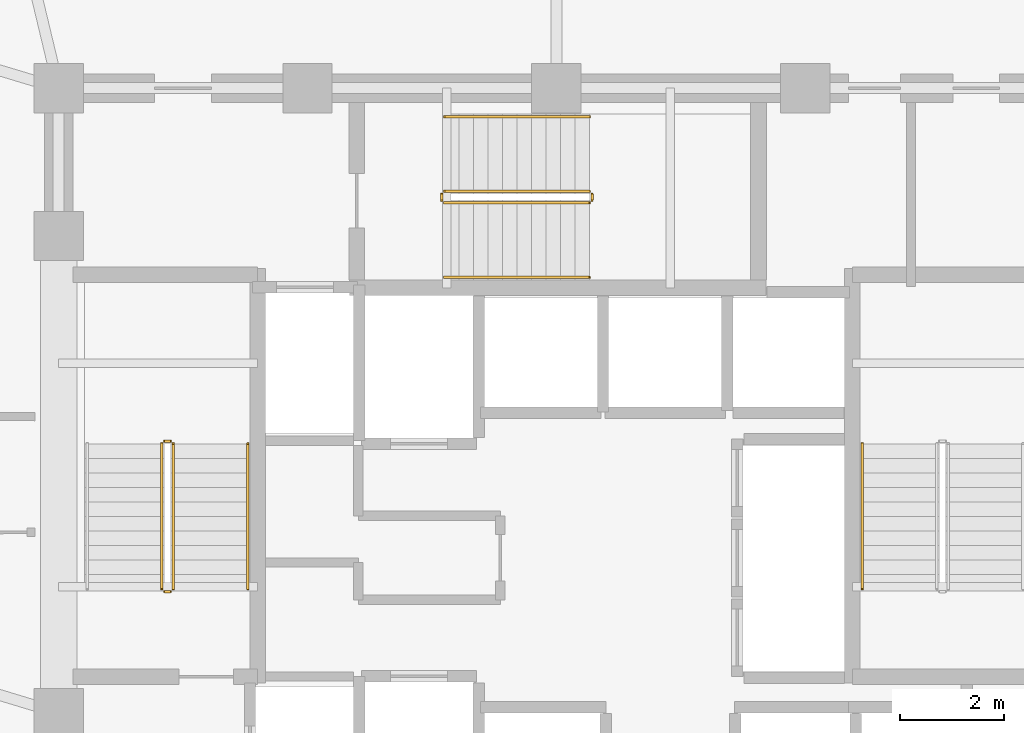
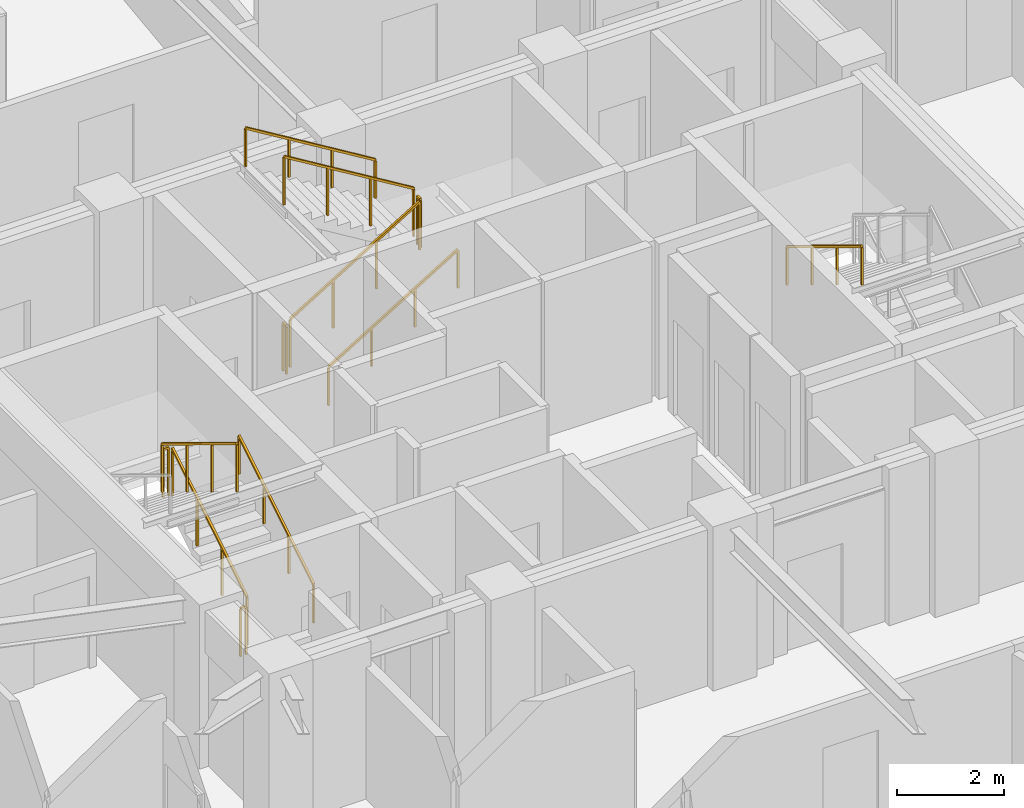
# One storey, part 27 of 29: 12 railings.
"""IFC4 building model written with IfcOpenShell, lengths in metres."""

from ifc_helpers import new_model, si_unit, direction, frame, origin, origin_2d, place, context, subcontext, project, spatial, rectangle, extrude, material, type_object, element, save


model = new_model("IFC4")

# Units and contexts
model_context = context("Model", 3, precision=1e-05, world=origin(), true_north=direction((0.0, 1.0)))
body_context = subcontext(model_context, "Body", "Model", "MODEL_VIEW")
ifc_project = project(units=[si_unit("LENGTHUNIT", "METRE"), si_unit("AREAUNIT", "SQUARE_METRE"), si_unit("VOLUMEUNIT", "CUBIC_METRE"), si_unit("PLANEANGLEUNIT", "RADIAN"), si_unit("MASSUNIT", "GRAM", prefix="KILO")], contexts=[model_context])

# Site, building, storey
site_placement = place(None, origin())
site = spatial("IfcSite", under=ifc_project, at=site_placement, CompositionType="ELEMENT")
building_placement = place(site_placement, origin())
building = spatial("IfcBuilding", under=site, at=building_placement, Name="Vantalir Tower", CompositionType="ELEMENT")
storey_placement = place(building_placement, frame((0.0, 0.0, 149.699951171875)))
storey = spatial("IfcBuildingStorey", under=building, at=storey_placement, Name="L37", CompositionType="ELEMENT", Elevation=149.699951171875)

# Railings
ifc_material_1 = material(Name="Anodised aluminium and stainless steel guard", Category="steel")
railing_type_1 = type_object("IfcRailingType", Name="RAL-GUARD-1120", PredefinedType="GUARDRAIL", material=ifc_material_1)
railing_1_placement = place(storey_placement, frame((24.110107421875, 22.7900390625, 0.17041015625)))
element("IfcRailing", 1, at=railing_1_placement, inside=storey, type_object=railing_type_1, Name="L37 ST1 stair guard 1", PredefinedType="GUARDRAIL", context=body_context, shape_type="SweptSolid", body=[
    extrude(rectangle(XDim=0.048095703125, YDim=0.048095703125, at=origin_2d()), frame((0.0, 0.0, 1.09619140625), z_axis=(0.0, 0.854169791009, 0.51999420009), x_axis=(-1.0, 0.0, 0.0)), (0.0, 0.0, 1.0), 3.278076171875),
    extrude(rectangle(XDim=0.0419921875, YDim=0.0419921875, at=origin_2d()), origin(), (0.0, 0.0, 1.0), 1.072021484375),
    extrude(rectangle(XDim=0.0419921875, YDim=0.0419921875, at=origin_2d()), frame((0.0, 0.933349609375, 0.568115234375)), (0.0, 0.0, 1.0), 1.072021484375),
    extrude(rectangle(XDim=0.0419921875, YDim=0.0419921875, at=origin_2d()), frame((0.0, 1.86669921875, 1.136474609375)), (0.0, 0.0, 1.0), 1.072021484375),
    extrude(rectangle(XDim=0.0419921875, YDim=0.0419921875, at=origin_2d()), frame((0.0, 2.800048828125, 1.70458984375)), (0.0, 0.0, 1.0), 1.072021484375),
])
railing_2_placement = place(storey_placement, frame((24.06005859375, 25.639892578125, 1.875)))
element("IfcRailing", 2, at=railing_2_placement, inside=storey, type_object=railing_type_1, Name="L37 ST1 stair guard 2", PredefinedType="GUARDRAIL", context=body_context, shape_type="SweptSolid", body=[
    extrude(rectangle(XDim=0.048095703125, YDim=0.048095703125, at=origin_2d()), frame((0.0, 0.0, 1.09619140625), z_axis=(-1.0, 0.0, 0.0), x_axis=(0.0, -1.0, 0.0)), (0.0, 0.0, 1.0), 0.1201171875),
    extrude(rectangle(XDim=0.0419921875, YDim=0.0419921875, at=origin_2d()), origin(), (0.0, 0.0, 1.0), 1.072021484375),
    extrude(rectangle(XDim=0.0419921875, YDim=0.0419921875, at=origin_2d()), frame((-0.1201171875, 0.0, 0.0)), (0.0, 0.0, 1.0), 1.072021484375),
])
railing_3_placement = place(storey_placement, frame((23.889892578125, 25.590087890625, 2.04541015625)))
element("IfcRailing", 3, at=railing_3_placement, inside=storey, type_object=railing_type_1, Name="L37 ST1 stair guard 3", PredefinedType="GUARDRAIL", context=body_context, shape_type="SweptSolid", body=[
    extrude(rectangle(XDim=0.048095703125, YDim=0.048095703125, at=origin_2d()), frame((0.0, 0.0, 1.09619140625), z_axis=(0.0, -0.854169791009, 0.51999420009), x_axis=(1.0, 0.0, 0.0)), (0.0, 0.0, 1.0), 3.278076171875),
    extrude(rectangle(XDim=0.0419921875, YDim=0.0419921875, at=origin_2d()), origin(), (0.0, 0.0, 1.0), 1.072021484375),
    extrude(rectangle(XDim=0.0419921875, YDim=0.0419921875, at=origin_2d()), frame((0.0, -0.933349609375, 0.568115234375)), (0.0, 0.0, 1.0), 1.072021484375),
    extrude(rectangle(XDim=0.0419921875, YDim=0.0419921875, at=origin_2d()), frame((0.0, -1.86669921875, 1.136474609375)), (0.0, 0.0, 1.0), 1.072021484375),
    extrude(rectangle(XDim=0.0419921875, YDim=0.0419921875, at=origin_2d()), frame((0.0, -2.800048828125, 1.70458984375)), (0.0, 0.0, 1.0), 1.072021484375),
])
railing_4_placement = place(storey_placement, frame((24.06005859375, 22.739990234375, 0.0)))
element("IfcRailing", 4, at=railing_4_placement, inside=storey, type_object=railing_type_1, Name="L37 ST1 stair guard 4", PredefinedType="GUARDRAIL", context=body_context, shape_type="SweptSolid", body=[
    extrude(rectangle(XDim=0.048095703125, YDim=0.048095703125, at=origin_2d()), frame((0.0, 0.0, 1.09619140625), z_axis=(-1.0, 0.0, 0.0), x_axis=(0.0, -1.0, 0.0)), (0.0, 0.0, 1.0), 0.1201171875),
    extrude(rectangle(XDim=0.0419921875, YDim=0.0419921875, at=origin_2d()), origin(), (0.0, 0.0, 1.0), 1.072021484375),
    extrude(rectangle(XDim=0.0419921875, YDim=0.0419921875, at=origin_2d()), frame((-0.1201171875, 0.0, 0.0)), (0.0, 0.0, 1.0), 1.072021484375),
])
railing_5_placement = place(storey_placement, frame((29.340087890625, 30.239990234375, 0.17041015625)))
element("IfcRailing", 5, at=railing_5_placement, inside=storey, type_object=railing_type_1, Name="L37 ST3 stair guard 1", PredefinedType="GUARDRAIL", context=body_context, shape_type="SweptSolid", body=[
    extrude(rectangle(XDim=0.048095703125, YDim=0.048095703125, at=origin_2d()), frame((0.0, 0.0, 1.09619140625), z_axis=(0.854149651119, 0.0, 0.520027281489), x_axis=(0.0, 1.0, 0.0)), (0.0, 0.0, 1.0), 3.27783203125),
    extrude(rectangle(XDim=0.0419921875, YDim=0.0419921875, at=origin_2d()), origin(), (0.0, 0.0, 1.0), 1.072021484375),
    extrude(rectangle(XDim=0.0419921875, YDim=0.0419921875, at=origin_2d()), frame((0.933349609375, 0.0, 0.568115234375)), (0.0, 0.0, 1.0), 1.072021484375),
    extrude(rectangle(XDim=0.0419921875, YDim=0.0419921875, at=origin_2d()), frame((1.866455078125, 0.0, 1.136474609375)), (0.0, 0.0, 1.0), 1.072021484375),
    extrude(rectangle(XDim=0.0419921875, YDim=0.0419921875, at=origin_2d()), frame((2.7998046875, 0.0, 1.70458984375)), (0.0, 0.0, 1.0), 1.072021484375),
])
railing_6_placement = place(storey_placement, frame((32.18994140625, 30.2900390625, 1.875)))
element("IfcRailing", 6, at=railing_6_placement, inside=storey, type_object=railing_type_1, Name="L37 ST3 stair guard 2", PredefinedType="GUARDRAIL", context=body_context, shape_type="SweptSolid", body=[
    extrude(rectangle(XDim=0.048095703125, YDim=0.048095703125, at=origin_2d()), frame((0.0, 0.0, 1.09619140625), z_axis=(0.0, 1.0, 0.0), x_axis=(-1.0, 0.0, 0.0)), (0.0, 0.0, 1.0), 0.119873046875),
    extrude(rectangle(XDim=0.0419921875, YDim=0.0419921875, at=origin_2d()), origin(), (0.0, 0.0, 1.0), 1.072021484375),
    extrude(rectangle(XDim=0.0419921875, YDim=0.0419921875, at=origin_2d()), frame((0.0, 0.119873046875, 0.0)), (0.0, 0.0, 1.0), 1.072021484375),
])
railing_7_placement = place(storey_placement, frame((32.139892578125, 30.4599609375, 2.04541015625)))
element("IfcRailing", 7, at=railing_7_placement, inside=storey, type_object=railing_type_1, Name="L37 ST3 stair guard 3", PredefinedType="GUARDRAIL", context=body_context, shape_type="SweptSolid", body=[
    extrude(rectangle(XDim=0.048095703125, YDim=0.048095703125, at=origin_2d()), frame((0.0, 0.0, 1.09619140625), z_axis=(-0.854149651119, 0.0, 0.520027281489), x_axis=(0.0, -1.0, 0.0)), (0.0, 0.0, 1.0), 3.27783203125),
    extrude(rectangle(XDim=0.0419921875, YDim=0.0419921875, at=origin_2d()), origin(), (0.0, 0.0, 1.0), 1.072021484375),
    extrude(rectangle(XDim=0.0419921875, YDim=0.0419921875, at=origin_2d()), frame((-0.933349609375, 0.0, 0.568115234375)), (0.0, 0.0, 1.0), 1.072021484375),
    extrude(rectangle(XDim=0.0419921875, YDim=0.0419921875, at=origin_2d()), frame((-1.866455078125, 0.0, 1.136474609375)), (0.0, 0.0, 1.0), 1.072021484375),
    extrude(rectangle(XDim=0.0419921875, YDim=0.0419921875, at=origin_2d()), frame((-2.7998046875, 0.0, 1.70458984375)), (0.0, 0.0, 1.0), 1.072021484375),
])
railing_8_placement = place(storey_placement, frame((29.2900390625, 30.2900390625, 0.0)))
element("IfcRailing", 8, at=railing_8_placement, inside=storey, type_object=railing_type_1, Name="L37 ST3 stair guard 4", PredefinedType="GUARDRAIL", context=body_context, shape_type="SweptSolid", body=[
    extrude(rectangle(XDim=0.048095703125, YDim=0.048095703125, at=origin_2d()), frame((0.0, 0.0, 1.09619140625), z_axis=(0.0, 1.0, 0.0), x_axis=(-1.0, 0.0, 0.0)), (0.0, 0.0, 1.0), 0.119873046875),
    extrude(rectangle(XDim=0.0419921875, YDim=0.0419921875, at=origin_2d()), origin(), (0.0, 0.0, 1.0), 1.072021484375),
    extrude(rectangle(XDim=0.0419921875, YDim=0.0419921875, at=origin_2d()), frame((0.0, 0.119873046875, 0.0)), (0.0, 0.0, 1.0), 1.072021484375),
])
ifc_material_2 = material(Name="Brushed stainless steel tubular handrail", Category="steel")
railing_type_2 = type_object("IfcRailingType", Name="RAL-HANDRAIL-900", PredefinedType="HANDRAIL", material=ifc_material_2)
railing_9_placement = place(storey_placement, frame((25.550048828125, 22.7900390625, 0.17041015625)))
element("IfcRailing", 9, at=railing_9_placement, inside=storey, type_object=railing_type_2, Name="L37 ST1 stair handrail 1", PredefinedType="HANDRAIL", context=body_context, shape_type="SweptSolid", body=[
    extrude(rectangle(XDim=0.048095703125, YDim=0.048095703125, at=origin_2d()), frame((0.0, 0.0, 0.8759765625), z_axis=(0.0, 0.854169791009, 0.51999420009), x_axis=(-1.0, 0.0, 0.0)), (0.0, 0.0, 1.0), 3.278076171875),
    extrude(rectangle(XDim=0.0419921875, YDim=0.0419921875, at=origin_2d()), origin(), (0.0, 0.0, 1.0), 0.851806640625),
    extrude(rectangle(XDim=0.0419921875, YDim=0.0419921875, at=origin_2d()), frame((0.0, 0.933349609375, 0.568115234375)), (0.0, 0.0, 1.0), 0.851806640625),
    extrude(rectangle(XDim=0.0419921875, YDim=0.0419921875, at=origin_2d()), frame((0.0, 1.86669921875, 1.136474609375)), (0.0, 0.0, 1.0), 0.851806640625),
    extrude(rectangle(XDim=0.0419921875, YDim=0.0419921875, at=origin_2d()), frame((0.0, 2.800048828125, 1.70458984375)), (0.0, 0.0, 1.0), 0.851806640625),
])
railing_10_placement = place(storey_placement, frame((37.39990234375, 25.590087890625, 2.04541015625)))
element("IfcRailing", 10, at=railing_10_placement, inside=storey, type_object=railing_type_2, Name="L37 ST2 stair handrail 2", PredefinedType="HANDRAIL", context=body_context, shape_type="SweptSolid", body=[
    extrude(rectangle(XDim=0.048095703125, YDim=0.048095703125, at=origin_2d()), frame((0.0, 0.0, 0.8759765625), z_axis=(0.0, -0.854169791009, 0.51999420009), x_axis=(1.0, 0.0, 0.0)), (0.0, 0.0, 1.0), 3.278076171875),
    extrude(rectangle(XDim=0.0419921875, YDim=0.0419921875, at=origin_2d()), origin(), (0.0, 0.0, 1.0), 0.851806640625),
    extrude(rectangle(XDim=0.0419921875, YDim=0.0419921875, at=origin_2d()), frame((0.0, -0.933349609375, 0.568115234375)), (0.0, 0.0, 1.0), 0.851806640625),
    extrude(rectangle(XDim=0.0419921875, YDim=0.0419921875, at=origin_2d()), frame((0.0, -1.86669921875, 1.136474609375)), (0.0, 0.0, 1.0), 0.851806640625),
    extrude(rectangle(XDim=0.0419921875, YDim=0.0419921875, at=origin_2d()), frame((0.0, -2.800048828125, 1.70458984375)), (0.0, 0.0, 1.0), 0.851806640625),
])
railing_11_placement = place(storey_placement, frame((29.340087890625, 28.800048828125, 0.17041015625)))
element("IfcRailing", 11, at=railing_11_placement, inside=storey, type_object=railing_type_2, Name="L37 ST3 stair handrail 1", PredefinedType="HANDRAIL", context=body_context, shape_type="SweptSolid", body=[
    extrude(rectangle(XDim=0.048095703125, YDim=0.048095703125, at=origin_2d()), frame((0.0, 0.0, 0.8759765625), z_axis=(0.854149651119, 0.0, 0.520027281489), x_axis=(0.0, 1.0, 0.0)), (0.0, 0.0, 1.0), 3.27783203125),
    extrude(rectangle(XDim=0.0419921875, YDim=0.0419921875, at=origin_2d()), origin(), (0.0, 0.0, 1.0), 0.851806640625),
    extrude(rectangle(XDim=0.0419921875, YDim=0.0419921875, at=origin_2d()), frame((0.933349609375, 0.0, 0.568115234375)), (0.0, 0.0, 1.0), 0.851806640625),
    extrude(rectangle(XDim=0.0419921875, YDim=0.0419921875, at=origin_2d()), frame((1.866455078125, 0.0, 1.136474609375)), (0.0, 0.0, 1.0), 0.851806640625),
    extrude(rectangle(XDim=0.0419921875, YDim=0.0419921875, at=origin_2d()), frame((2.7998046875, 0.0, 1.70458984375)), (0.0, 0.0, 1.0), 0.851806640625),
])
railing_12_placement = place(storey_placement, frame((32.139892578125, 31.89990234375, 2.04541015625)))
element("IfcRailing", 12, at=railing_12_placement, inside=storey, type_object=railing_type_2, Name="L37 ST3 stair handrail 2", PredefinedType="HANDRAIL", context=body_context, shape_type="SweptSolid", body=[
    extrude(rectangle(XDim=0.048095703125, YDim=0.048095703125, at=origin_2d()), frame((0.0, 0.0, 0.8759765625), z_axis=(-0.854149651119, 0.0, 0.520027281489), x_axis=(0.0, -1.0, 0.0)), (0.0, 0.0, 1.0), 3.27783203125),
    extrude(rectangle(XDim=0.0419921875, YDim=0.0419921875, at=origin_2d()), origin(), (0.0, 0.0, 1.0), 0.851806640625),
    extrude(rectangle(XDim=0.0419921875, YDim=0.0419921875, at=origin_2d()), frame((-0.933349609375, 0.0, 0.568115234375)), (0.0, 0.0, 1.0), 0.851806640625),
    extrude(rectangle(XDim=0.0419921875, YDim=0.0419921875, at=origin_2d()), frame((-1.866455078125, 0.0, 1.136474609375)), (0.0, 0.0, 1.0), 0.851806640625),
    extrude(rectangle(XDim=0.0419921875, YDim=0.0419921875, at=origin_2d()), frame((-2.7998046875, 0.0, 1.70458984375)), (0.0, 0.0, 1.0), 0.851806640625),
])

save(model, "model.ifc")
